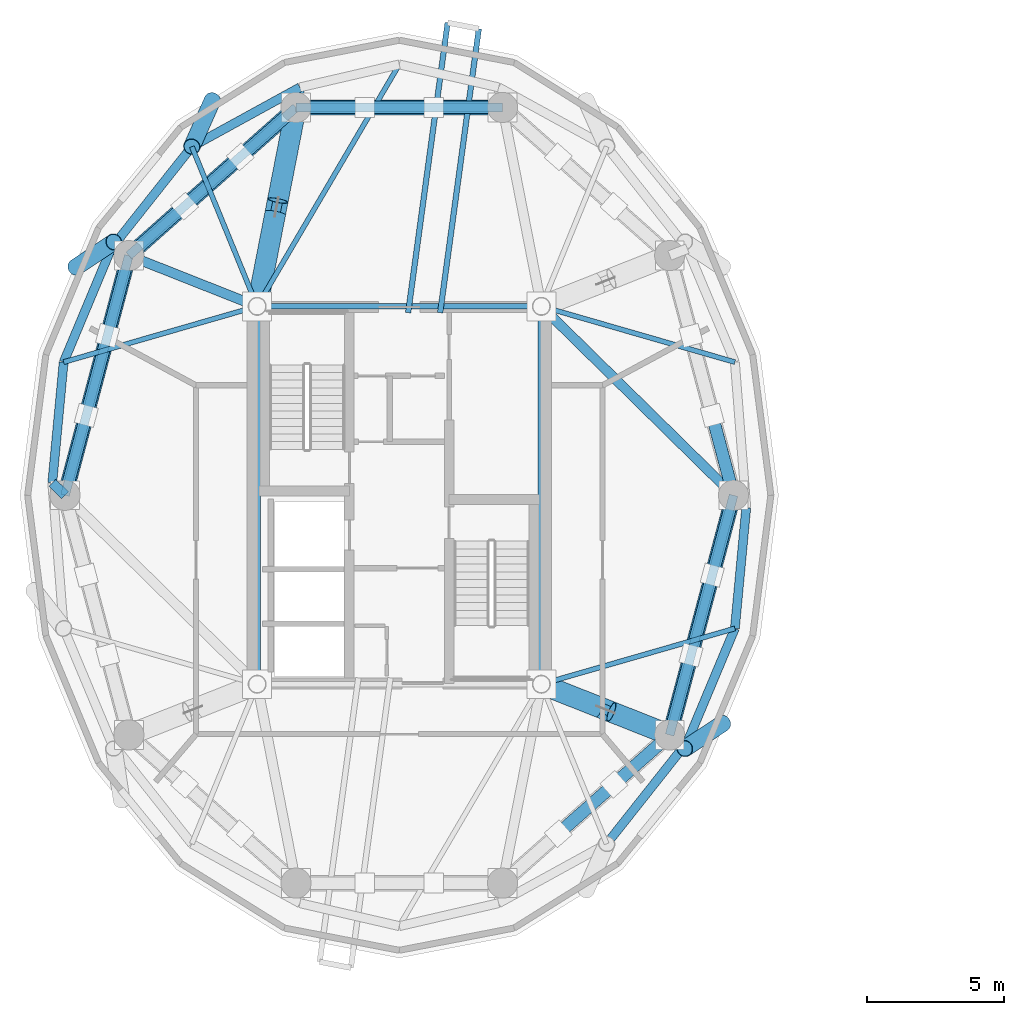
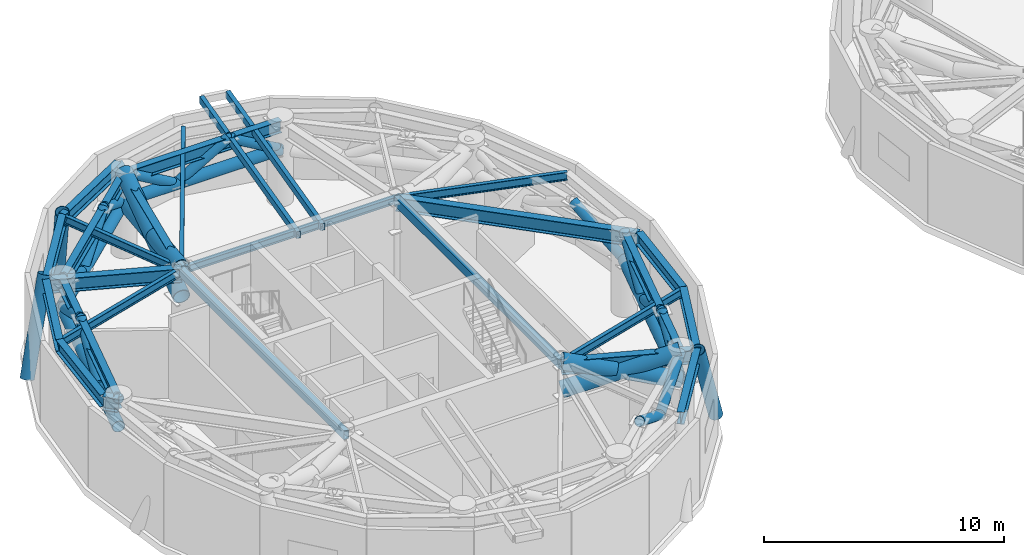
# One storey, part 2 of 14: 28 members, 26 beams.
"""IFC4 building model written with IfcOpenShell, lengths in metres."""

from ifc_helpers import new_model, si_unit, direction, frame, origin, origin_2d, place, context, subcontext, project, spatial, hollow_rectangle, hollow_circle, i_section, extrude, material, material_profile, profile_set, type_object, element, save


model = new_model("IFC4")

# Units and contexts
model_context = context("Model", 3, precision=1e-05, world=origin(), true_north=direction((0.0, 1.0)))
body_context = subcontext(model_context, "Body", "Model", "MODEL_VIEW")
ifc_project = project(units=[si_unit("LENGTHUNIT", "METRE"), si_unit("AREAUNIT", "SQUARE_METRE"), si_unit("VOLUMEUNIT", "CUBIC_METRE"), si_unit("PLANEANGLEUNIT", "RADIAN"), si_unit("MASSUNIT", "GRAM", prefix="KILO")], contexts=[model_context])

# Site, building, storey
site_placement = place(None, origin())
site = spatial("IfcSite", under=ifc_project, at=site_placement, CompositionType="ELEMENT")
building_placement = place(site_placement, origin())
building = spatial("IfcBuilding", under=site, at=building_placement, Name="Cununo Teusaquillo Station Towers", CompositionType="ELEMENT")
storey_placement = place(building_placement, frame((0.0, 0.0, 192.340087890625)))
storey = spatial("IfcBuildingStorey", under=building, at=storey_placement, Name="L61", CompositionType="ELEMENT", Elevation=192.340087890625)

# Beams
ifc_material_1 = material(Name="Steel EN 10025-2 S355J2", Category="steel")
ifc_material_profile_1 = material_profile(ifc_material_1, hollow_rectangle(XDim=0.199951171875, YDim=0.35009765625, WallThickness=0.013916015625, at=origin_2d()), Name="RHS 350x200x14")
ifc_profile_set_1 = profile_set([ifc_material_profile_1], Name="Steel EN 10025-2 S355J2")
beam_type_1 = type_object("IfcBeamType", Name="BM-BAL-CANT", PredefinedType="BEAM", material=ifc_profile_set_1)
beam_1_placement = place(storey_placement, frame((17.9892578125, 31.14990234375, 3.934814453125), z_axis=(0.135018196505, 0.990843119072, 0.0), x_axis=(-0.990843119072, 0.135018196505, 0.0)))
element("IfcBeam", 1, at=beam_1_placement, inside=storey, type_object=beam_type_1, Name="L61 Tower A Balcony Cantilever Bracket 1A", PredefinedType="BEAM", context=body_context, shape_type="SweptSolid", body=[
    extrude(hollow_rectangle(XDim=0.199951171875, YDim=0.35009765625, WallThickness=0.013916015625, at=origin_2d()), origin(), (0.0, 0.0, 1.0), 10.43505859375),
])
beam_2_placement = place(storey_placement, frame((16.822998046875, 31.14990234375, 3.934814453125), z_axis=(0.135006880627, 0.990844660975, 0.0), x_axis=(-0.990844660975, 0.135006880627, 0.0)))
element("IfcBeam", 2, at=beam_2_placement, inside=storey, type_object=beam_type_1, Name="L61 Tower A Balcony Cantilever Bracket 1B", PredefinedType="BEAM", context=body_context, shape_type="SweptSolid", body=[
    extrude(hollow_rectangle(XDim=0.199951171875, YDim=0.35009765625, WallThickness=0.013916015625, at=origin_2d()), origin(), (0.0, 0.0, 1.0), 10.65673828125),
])
ifc_material_2 = material(Name="Steel EN 10025-2 S355J2", Category="steel")
ifc_material_profile_2 = material_profile(ifc_material_2, hollow_rectangle(XDim=0.25, YDim=0.449951171875, WallThickness=0.01611328125, at=origin_2d()), Name="RHS 450x250x16")
ifc_profile_set_2 = profile_set([ifc_material_profile_2], Name="Steel EN 10025-2 S355J2")
beam_type_2 = type_object("IfcBeamType", Name="BM-COUP-1", PredefinedType="USERDEFINED", material=ifc_profile_set_2)
for number, where, z_axis, x_axis, name in (
    (3, (11.324951171875, 17.6201171875, 3.885009765625), (0.0, 1.0, 0.0), (-1.0, 0.0, 0.0), "L61 Tower A Core Beam 1"),
    (4, (21.675048828125, 17.6201171875, 3.885009765625), (0.0, 1.0, 0.0), (-1.0, 0.0, 0.0), "L61 Tower A Core Beam 2"),
):
    element("IfcBeam", number, at=place(storey_placement, frame(where, z_axis=z_axis, x_axis=x_axis)), inside=storey, type_object=beam_type_2, Name=name, ObjectType="COUPLING BEAM", PredefinedType="USERDEFINED", context=body_context, shape_type="SweptSolid", body=[
        extrude(hollow_rectangle(XDim=0.25, YDim=0.449951171875, WallThickness=0.01611328125, at=origin_2d()), origin(), (0.0, 0.0, 1.0), 13.759765625),
    ])
ifc_material_3 = material(Name="Steel ASTM A572 Grade 50", Category="steel")
ifc_material_profile_3 = material_profile(ifc_material_3, i_section(OverallWidth=0.180908203125, OverallDepth=0.4169921875, WebThickness=0.010986328125, FlangeThickness=0.018310546875, FilletRadius=0.012939453125, at=origin_2d()), Name="W16X57")
ifc_profile_set_3 = profile_set([ifc_material_profile_3], Name="Steel ASTM A572 Grade 50")
beam_type_3 = type_object("IfcBeamType", Name="BM-JOIST-1", PredefinedType="JOIST", material=ifc_profile_set_3)
beam_3_placement = place(storey_placement, frame((21.675048828125, 31.3798828125, 3.9013671875), z_axis=(0.960861603375, -0.277028841748, 0.0), x_axis=(0.277028841748, 0.960861603375, 0.0)))
element("IfcBeam", 5, at=beam_3_placement, inside=storey, type_object=beam_type_3, Name="L61 Tower A Radial Spandrel Joist V01", PredefinedType="JOIST", context=body_context, shape_type="SweptSolid", body=[
    extrude(i_section(OverallWidth=0.180908203125, OverallDepth=0.4169921875, WebThickness=0.010986328125, FlangeThickness=0.018310546875, FilletRadius=0.012939453125, at=origin_2d()), origin(), (0.0, 0.0, 1.0), 7.333251953125),
])
beam_4_placement = place(storey_placement, frame((11.324951171875, 31.3798828125, 3.9013671875), z_axis=(0.506486432091, 0.862247930765, 0.0), x_axis=(-0.862247930765, 0.506486432091, 0.0)))
element("IfcBeam", 6, at=beam_4_placement, inside=storey, type_object=beam_type_3, Name="L61 Tower A Radial Spandrel Joist V05", PredefinedType="JOIST", context=body_context, shape_type="SweptSolid", body=[
    extrude(i_section(OverallWidth=0.180908203125, OverallDepth=0.4169921875, WebThickness=0.010986328125, FlangeThickness=0.018310546875, FilletRadius=0.012939453125, at=origin_2d()), origin(), (0.0, 0.0, 1.0), 10.217529296875),
])
beam_5_placement = place(storey_placement, frame((11.324951171875, 31.3798828125, 3.9013671875), z_axis=(-0.378576847217, 0.925569862707, 0.0), x_axis=(-0.925569862707, -0.378576847217, 0.0)))
element("IfcBeam", 7, at=beam_5_placement, inside=storey, type_object=beam_type_3, Name="L61 Tower A Radial Spandrel Joist V07", PredefinedType="JOIST", context=body_context, shape_type="SweptSolid", body=[
    extrude(i_section(OverallWidth=0.180908203125, OverallDepth=0.4169921875, WebThickness=0.010986328125, FlangeThickness=0.018310546875, FilletRadius=0.012939453125, at=origin_2d()), origin(), (0.0, 0.0, 1.0), 6.28125),
])
for number, where, z_axis, x_axis, name in (
    (8, (11.324951171875, 31.3798828125, 3.9013671875), (-0.960861603375, -0.277028841748, 0.0), (0.277028841748, -0.960861603375, 0.0), "L61 Tower A Radial Spandrel Joist V09"),
    (9, (21.675048828125, 17.6201171875, 3.9013671875), (0.960861603375, 0.277028841748, 0.0), (-0.277028841748, 0.960861603375, 0.0), "L61 Tower A Radial Spandrel Joist V19"),
):
    element("IfcBeam", number, at=place(storey_placement, frame(where, z_axis=z_axis, x_axis=x_axis)), inside=storey, type_object=beam_type_3, Name=name, PredefinedType="JOIST", context=body_context, shape_type="SweptSolid", body=[
        extrude(i_section(OverallWidth=0.180908203125, OverallDepth=0.4169921875, WebThickness=0.010986328125, FlangeThickness=0.018310546875, FilletRadius=0.012939453125, at=origin_2d()), origin(), (0.0, 0.0, 1.0), 7.333251953125),
    ])
ifc_material_4 = material(Name="Steel ASTM A572 Grade 50", Category="steel")
ifc_material_profile_4 = material_profile(ifc_material_4, i_section(OverallWidth=0.2041015625, OverallDepth=0.35009765625, WebThickness=0.008544921875, FlangeThickness=0.01513671875, FilletRadius=0.011962890625, at=origin_2d()), Name="W14X48")
ifc_profile_set_4 = profile_set([ifc_material_profile_4], Name="Steel ASTM A572 Grade 50")
beam_type_4 = type_object("IfcBeamType", Name="BM-LINTEL-1", PredefinedType="LINTEL", material=ifc_profile_set_4)
beam_6_placement = place(storey_placement, frame((11.324951171875, 31.3798828125, 3.934814453125), z_axis=(1.0, 0.0, 0.0), x_axis=(0.0, 1.0, 0.0)))
element("IfcBeam", 10, at=beam_6_placement, inside=storey, type_object=beam_type_4, Name="L61 Tower A Core Beam 4", PredefinedType="LINTEL", context=body_context, shape_type="SweptSolid", body=[
    extrude(i_section(OverallWidth=0.2041015625, OverallDepth=0.35009765625, WebThickness=0.008544921875, FlangeThickness=0.01513671875, FilletRadius=0.011962890625, at=origin_2d()), origin(), (0.0, 0.0, 1.0), 10.35009765625),
])
ifc_material_5 = material(Name="Steel ASTM A572 Grade 50", Category="steel")
ifc_material_profile_5 = material_profile(ifc_material_5, i_section(OverallWidth=0.35498046875, OverallDepth=0.696044921875, WebThickness=0.015380859375, FlangeThickness=0.02490234375, FilletRadius=0.01806640625, at=origin_2d()), Name="W27X146")
ifc_profile_set_5 = profile_set([ifc_material_profile_5], Name="Steel ASTM A572 Grade 50")
beam_type_5 = type_object("IfcBeamType", Name="BM-PLNT-G1", PredefinedType="BEAM", material=ifc_profile_set_5)
beam_7_placement = place(storey_placement, frame((21.675048828125, 31.3798828125, 3.761962890625), z_axis=(0.713043510712, -0.701119784225, 0.0), x_axis=(0.701119784225, 0.713043510712, 0.0)))
element("IfcBeam", 11, at=beam_7_placement, inside=storey, type_object=beam_type_5, Name="L61 Tower A Continuous Overhanging Radial Girder 01", PredefinedType="BEAM", context=body_context, shape_type="SweptSolid", body=[
    extrude(i_section(OverallWidth=0.35498046875, OverallDepth=0.696044921875, WebThickness=0.015380859375, FlangeThickness=0.02490234375, FilletRadius=0.01806640625, at=origin_2d()), origin(), (0.0, 0.0, 1.0), 10.462890625),
])
beam_8_placement = place(storey_placement, frame((11.324951171875, 31.3798828125, 3.761962890625), z_axis=(0.191548487699, 0.981483151593, 0.0), x_axis=(-0.981483151593, 0.191548487699, 0.0)))
element("IfcBeam", 12, at=beam_8_placement, inside=storey, type_object=beam_type_5, Name="L61 Tower A Continuous Overhanging Radial Girder 04", PredefinedType="BEAM", context=body_context, shape_type="SweptSolid", body=[
    extrude(i_section(OverallWidth=0.35498046875, OverallDepth=0.696044921875, WebThickness=0.015380859375, FlangeThickness=0.02490234375, FilletRadius=0.01806640625, at=origin_2d()), origin(), (0.0, 0.0, 1.0), 8.1240234375),
])
beam_9_placement = place(storey_placement, frame((11.324951171875, 31.3798828125, 3.761962890625), z_axis=(-0.929851670487, 0.36793460138, 0.0), x_axis=(-0.36793460138, -0.929851670487, 0.0)))
element("IfcBeam", 13, at=beam_9_placement, inside=storey, type_object=beam_type_5, Name="L61 Tower A Continuous Overhanging Radial Girder 05", PredefinedType="BEAM", context=body_context, shape_type="SweptSolid", body=[
    extrude(i_section(OverallWidth=0.35498046875, OverallDepth=0.696044921875, WebThickness=0.015380859375, FlangeThickness=0.02490234375, FilletRadius=0.01806640625, at=origin_2d()), origin(), (0.0, 0.0, 1.0), 5.71630859375),
])
beam_10_placement = place(storey_placement, frame((4.327880859375, 24.5, 3.761962890625), z_axis=(-0.712904743691, 0.701260883283, 0.0), x_axis=(-0.701260883283, -0.712904743691, 0.0)))
element("IfcBeam", 14, at=beam_10_placement, inside=storey, type_object=beam_type_5, Name="L61 Tower A Perimeter Overhang Girder 06B", PredefinedType="BEAM", context=body_context, shape_type="SweptSolid", body=[
    extrude(i_section(OverallWidth=0.35498046875, OverallDepth=0.696044921875, WebThickness=0.015380859375, FlangeThickness=0.02490234375, FilletRadius=0.01806640625, at=origin_2d()), origin(), (0.0, 0.0, 1.0), 0.64990234375),
])
beam_11_placement = place(storey_placement, frame((21.675048828125, 17.6201171875, 3.761962890625), z_axis=(0.929851670487, -0.36793460138, 0.0), x_axis=(0.36793460138, 0.929851670487, 0.0)))
element("IfcBeam", 15, at=beam_11_placement, inside=storey, type_object=beam_type_5, Name="L61 Tower A Continuous Overhanging Radial Girder 10", PredefinedType="BEAM", context=body_context, shape_type="SweptSolid", body=[
    extrude(i_section(OverallWidth=0.35498046875, OverallDepth=0.696044921875, WebThickness=0.015380859375, FlangeThickness=0.02490234375, FilletRadius=0.01806640625, at=origin_2d()), origin(), (0.0, 0.0, 1.0), 5.71630859375),
])
ifc_material_6 = material(Name="Steel ASTM A572 Grade 50", Category="steel")
ifc_material_profile_6 = material_profile(ifc_material_6, i_section(OverallWidth=0.324951171875, OverallDepth=0.615966796875, WebThickness=0.013916015625, FlangeThickness=0.021484375, FilletRadius=0.01611328125, at=origin_2d()), Name="W24X117")
ifc_profile_set_6 = profile_set([ifc_material_profile_6], Name="Steel ASTM A572 Grade 50")
beam_type_6 = type_object("IfcBeamType", Name="BM-PLNT-G2", PredefinedType="BEAM", material=ifc_profile_set_6)
beam_12_placement = place(storey_placement, frame((20.261474609375, 38.623291015625, 3.802001953125), z_axis=(-1.0, 0.0, 0.0), x_axis=(0.0, -1.0, 0.0)))
element("IfcBeam", 16, at=beam_12_placement, inside=storey, type_object=beam_type_6, Name="L61 Tower A Structural Column Ring Girder 03", PredefinedType="BEAM", context=body_context, shape_type="SweptSolid", body=[
    extrude(i_section(OverallWidth=0.324951171875, OverallDepth=0.615966796875, WebThickness=0.013916015625, FlangeThickness=0.021484375, FilletRadius=0.01611328125, at=origin_2d()), origin(), (0.0, 0.0, 1.0), 7.52294921875),
])
beam_13_placement = place(storey_placement, frame((12.738525390625, 38.623291015625, 3.802001953125), z_axis=(-0.74832120039, -0.66333655187, 0.0), x_axis=(0.66333655187, -0.74832120039, 0.0)))
element("IfcBeam", 17, at=beam_13_placement, inside=storey, type_object=beam_type_6, Name="L61 Tower A Structural Column Ring Girder 04", PredefinedType="BEAM", context=body_context, shape_type="SweptSolid", body=[
    extrude(i_section(OverallWidth=0.324951171875, OverallDepth=0.615966796875, WebThickness=0.013916015625, FlangeThickness=0.021484375, FilletRadius=0.01611328125, at=origin_2d()), origin(), (0.0, 0.0, 1.0), 8.1328125),
])
for number, where, z_axis, x_axis, name in (
    (18, (6.652587890625, 33.228515625, 3.802001953125), (-0.257363196347, -0.966314744359, 0.0), (0.966314744359, -0.257363196347, 0.0), "L61 Tower A Structural Column Ring Girder 05"),
    (19, (26.347412109375, 15.771484375, 3.802001953125), (0.257363196347, 0.966314744359, 0.0), (-0.966314744359, 0.257363196347, 0.0), "L61 Tower A Structural Column Ring Girder 10"),
):
    element("IfcBeam", number, at=place(storey_placement, frame(where, z_axis=z_axis, x_axis=x_axis)), inside=storey, type_object=beam_type_6, Name=name, PredefinedType="BEAM", context=body_context, shape_type="SweptSolid", body=[
        extrude(i_section(OverallWidth=0.324951171875, OverallDepth=0.615966796875, WebThickness=0.013916015625, FlangeThickness=0.021484375, FilletRadius=0.01611328125, at=origin_2d()), origin(), (0.0, 0.0, 1.0), 9.03271484375),
    ])
beam_14_placement = place(storey_placement, frame((12.881103515625, 39.353515625, 3.802001953125), z_axis=(-0.876576300909, -0.481262910149, 0.0), x_axis=(0.481262910149, -0.876576300909, 0.0)))
element("IfcBeam", 20, at=beam_14_placement, inside=storey, type_object=beam_type_6, Name="L61 Tower A Spandrel Ring Beam 07", PredefinedType="BEAM", context=body_context, shape_type="SweptSolid", body=[
    extrude(i_section(OverallWidth=0.324951171875, OverallDepth=0.615966796875, WebThickness=0.013916015625, FlangeThickness=0.021484375, FilletRadius=0.01611328125, at=origin_2d()), origin(), (0.0, 0.0, 1.0), 4.488037109375),
])
beam_15_placement = place(storey_placement, frame((8.947021484375, 37.193603515625, 3.802001953125), z_axis=(-0.620710872531, -0.784039547932, 0.0), x_axis=(0.784039547932, -0.620710872531, 0.0)))
element("IfcBeam", 21, at=beam_15_placement, inside=storey, type_object=beam_type_6, Name="L61 Tower A Spandrel Ring Beam 08", PredefinedType="BEAM", context=body_context, shape_type="SweptSolid", body=[
    extrude(i_section(OverallWidth=0.324951171875, OverallDepth=0.615966796875, WebThickness=0.013916015625, FlangeThickness=0.021484375, FilletRadius=0.01611328125, at=origin_2d()), origin(), (0.0, 0.0, 1.0), 4.732421875),
])
beam_16_placement = place(storey_placement, frame((6.009521484375, 33.483154296875, 3.802001953125), z_axis=(-0.386115454066, -0.922450462698, 0.0), x_axis=(0.922450462698, -0.386115454066, 0.0)))
element("IfcBeam", 22, at=beam_16_placement, inside=storey, type_object=beam_type_6, Name="L61 Tower A Spandrel Ring Beam 09", PredefinedType="BEAM", context=body_context, shape_type="SweptSolid", body=[
    extrude(i_section(OverallWidth=0.324951171875, OverallDepth=0.615966796875, WebThickness=0.013916015625, FlangeThickness=0.021484375, FilletRadius=0.01611328125, at=origin_2d()), origin(), (0.0, 0.0, 1.0), 4.482421875),
])
beam_17_placement = place(storey_placement, frame((4.27880859375, 29.348388671875, 3.802001953125), z_axis=(-0.093902932611, -0.995581357422, 0.0), x_axis=(0.995581357422, -0.093902932611, 0.0)))
element("IfcBeam", 23, at=beam_17_placement, inside=storey, type_object=beam_type_6, Name="L61 Tower A Spandrel Ring Beam 10", PredefinedType="BEAM", context=body_context, shape_type="SweptSolid", body=[
    extrude(i_section(OverallWidth=0.324951171875, OverallDepth=0.615966796875, WebThickness=0.013916015625, FlangeThickness=0.021484375, FilletRadius=0.01611328125, at=origin_2d()), origin(), (0.0, 0.0, 1.0), 4.412109375),
])
beam_18_placement = place(storey_placement, frame((24.052978515625, 11.806396484375, 3.802001953125), z_axis=(0.620710872531, 0.784039547932, 0.0), x_axis=(-0.784039547932, 0.620710872531, 0.0)))
element("IfcBeam", 24, at=beam_18_placement, inside=storey, type_object=beam_type_6, Name="L61 Tower A Spandrel Ring Beam 18", PredefinedType="BEAM", context=body_context, shape_type="SweptSolid", body=[
    extrude(i_section(OverallWidth=0.324951171875, OverallDepth=0.615966796875, WebThickness=0.013916015625, FlangeThickness=0.021484375, FilletRadius=0.01611328125, at=origin_2d()), origin(), (0.0, 0.0, 1.0), 4.732421875),
])
beam_19_placement = place(storey_placement, frame((26.990478515625, 15.516845703125, 3.802001953125), z_axis=(0.386115454066, 0.922450462698, 0.0), x_axis=(-0.922450462698, 0.386115454066, 0.0)))
element("IfcBeam", 25, at=beam_19_placement, inside=storey, type_object=beam_type_6, Name="L61 Tower A Spandrel Ring Beam 19", PredefinedType="BEAM", context=body_context, shape_type="SweptSolid", body=[
    extrude(i_section(OverallWidth=0.324951171875, OverallDepth=0.615966796875, WebThickness=0.013916015625, FlangeThickness=0.021484375, FilletRadius=0.01611328125, at=origin_2d()), origin(), (0.0, 0.0, 1.0), 4.482421875),
])
beam_20_placement = place(storey_placement, frame((28.72119140625, 19.651611328125, 3.802001953125), z_axis=(0.093902932611, 0.995581357422, 0.0), x_axis=(-0.995581357422, 0.093902932611, 0.0)))
element("IfcBeam", 26, at=beam_20_placement, inside=storey, type_object=beam_type_6, Name="L61 Tower A Spandrel Ring Beam 20", PredefinedType="BEAM", context=body_context, shape_type="SweptSolid", body=[
    extrude(i_section(OverallWidth=0.324951171875, OverallDepth=0.615966796875, WebThickness=0.013916015625, FlangeThickness=0.021484375, FilletRadius=0.01611328125, at=origin_2d()), origin(), (0.0, 0.0, 1.0), 4.412109375),
])

# Members
ifc_material_7 = material(Name="Steel EN 10025-2 S355J2", Category="steel")
ifc_material_profile_7 = material_profile(ifc_material_7, hollow_circle(Radius=0.279541015625, WallThickness=0.02001953125, at=origin_2d()), Name="CHS 559x20")
ifc_profile_set_7 = profile_set([ifc_material_profile_7], Name="Steel EN 10025-2 S355J2")
member_type_1 = type_object("IfcMemberType", Name="MBR-BELT-CH", PredefinedType="CHORD", material=ifc_profile_set_7)
member_1_placement = place(storey_placement, frame((20.261474609375, 38.623291015625, 2.579833984375), z_axis=(-1.0, 0.0, 0.0), x_axis=(0.0, -1.0, 0.0)))
element("IfcMember", 27, at=member_1_placement, inside=storey, type_object=member_type_1, Name="L61 Tower A Belt Truss Lower Chord 03", PredefinedType="CHORD", context=body_context, shape_type="SweptSolid", body=[
    extrude(hollow_circle(Radius=0.279541015625, WallThickness=0.02001953125, at=origin_2d()), origin(), (0.0, 0.0, 1.0), 7.52294921875),
])
member_2_placement = place(storey_placement, frame((12.738525390625, 38.623291015625, 2.579833984375), z_axis=(-0.74832120039, -0.66333655187, 0.0), x_axis=(0.66333655187, -0.74832120039, 0.0)))
element("IfcMember", 28, at=member_2_placement, inside=storey, type_object=member_type_1, Name="L61 Tower A Belt Truss Lower Chord 04", PredefinedType="CHORD", context=body_context, shape_type="SweptSolid", body=[
    extrude(hollow_circle(Radius=0.279541015625, WallThickness=0.02001953125, at=origin_2d()), origin(), (0.0, 0.0, 1.0), 8.1328125),
])
for number, where, z_axis, x_axis, name in (
    (29, (6.652587890625, 33.228515625, 2.579833984375), (-0.257363196347, -0.966314744359, 0.0), (0.966314744359, -0.257363196347, 0.0), "L61 Tower A Belt Truss Lower Chord 05"),
    (30, (26.347412109375, 15.771484375, 2.579833984375), (0.257363196347, 0.966314744359, 0.0), (-0.966314744359, 0.257363196347, 0.0), "L61 Tower A Belt Truss Lower Chord 10"),
):
    element("IfcMember", number, at=place(storey_placement, frame(where, z_axis=z_axis, x_axis=x_axis)), inside=storey, type_object=member_type_1, Name=name, PredefinedType="CHORD", context=body_context, shape_type="SweptSolid", body=[
        extrude(hollow_circle(Radius=0.279541015625, WallThickness=0.02001953125, at=origin_2d()), origin(), (0.0, 0.0, 1.0), 9.03271484375),
    ])
ifc_material_8 = material(Name="Steel EN 10025-2 S355J2", Category="steel")
ifc_material_profile_8 = material_profile(ifc_material_8, hollow_circle(Radius=0.228515625, WallThickness=0.01611328125, at=origin_2d()), Name="CHS 457x16")
ifc_profile_set_8 = profile_set([ifc_material_profile_8], Name="Steel EN 10025-2 S355J2")
member_type_2 = type_object("IfcMemberType", Name="MBR-BELT-WB", PredefinedType="BRACE", material=ifc_profile_set_8)
member_3_placement = place(storey_placement, frame((28.672119140625, 24.5, 2.579833984375), z_axis=(-0.231874873286, 0.870590064572, 0.433943524675), x_axis=(-0.96631295405, -0.257369918281, 0.0)))
element("IfcMember", 31, at=member_3_placement, inside=storey, type_object=member_type_2, Name="L61 Tower A Belt Truss Warren Brace 01A", PredefinedType="BRACE", context=body_context, shape_type="SweptSolid", body=[
    extrude(hollow_circle(Radius=0.228515625, WallThickness=0.01611328125, at=origin_2d()), origin(), (0.0, 0.0, 1.0), 3.341796875),
])
member_4_placement = place(storey_placement, frame((20.261474609375, 38.623291015625, 2.579833984375), z_axis=(-0.865658928937, 0.0, 0.500634216521), x_axis=(0.0, -1.0, 0.0)))
element("IfcMember", 32, at=member_4_placement, inside=storey, type_object=member_type_2, Name="L61 Tower A Belt Truss Warren Brace 03A", PredefinedType="BRACE", context=body_context, shape_type="SweptSolid", body=[
    extrude(hollow_circle(Radius=0.228515625, WallThickness=0.01611328125, at=origin_2d()), origin(), (0.0, 0.0, 1.0), 2.896728515625),
])
member_5_placement = place(storey_placement, frame((17.75390625, 38.623291015625, 4.030029296875), z_axis=(-0.865680050576, 0.0, -0.500597692798), x_axis=(0.0, -1.0, 0.0)))
element("IfcMember", 33, at=member_5_placement, inside=storey, type_object=member_type_2, Name="L61 Tower A Belt Truss Warren Brace 03B", PredefinedType="BRACE", context=body_context, shape_type="SweptSolid", body=[
    extrude(hollow_circle(Radius=0.228515625, WallThickness=0.01611328125, at=origin_2d()), origin(), (0.0, 0.0, 1.0), 2.89697265625),
])
member_6_placement = place(storey_placement, frame((15.24609375, 38.623291015625, 2.579833984375), z_axis=(-0.865658928937, 0.0, 0.500634216521), x_axis=(0.0, -1.0, 0.0)))
element("IfcMember", 34, at=member_6_placement, inside=storey, type_object=member_type_2, Name="L61 Tower A Belt Truss Warren Brace 03C", PredefinedType="BRACE", context=body_context, shape_type="SweptSolid", body=[
    extrude(hollow_circle(Radius=0.228515625, WallThickness=0.01611328125, at=origin_2d()), origin(), (0.0, 0.0, 1.0), 2.896728515625),
])
member_7_placement = place(storey_placement, frame((12.738525390625, 38.623291015625, 2.579833984375), z_axis=(-0.65981643999, -0.584932951855, 0.471694506384), x_axis=(0.66336826295, -0.748293089445, 0.0)))
element("IfcMember", 35, at=member_7_placement, inside=storey, type_object=member_type_2, Name="L61 Tower A Belt Truss Warren Brace 04A", PredefinedType="BRACE", context=body_context, shape_type="SweptSolid", body=[
    extrude(hollow_circle(Radius=0.228515625, WallThickness=0.01611328125, at=origin_2d()), origin(), (0.0, 0.0, 1.0), 3.074462890625),
])
member_8_placement = place(storey_placement, frame((10.7099609375, 36.824951171875, 4.030029296875), z_axis=(-0.659847088148, -0.584880708173, -0.471716416367), x_axis=(0.663317831046, -0.748337794727, 0.0)))
element("IfcMember", 36, at=member_8_placement, inside=storey, type_object=member_type_2, Name="L61 Tower A Belt Truss Warren Brace 04B", PredefinedType="BRACE", context=body_context, shape_type="SweptSolid", body=[
    extrude(hollow_circle(Radius=0.228515625, WallThickness=0.01611328125, at=origin_2d()), origin(), (0.0, 0.0, 1.0), 3.07421875),
])
member_9_placement = place(storey_placement, frame((8.681396484375, 35.02685546875, 2.579833984375), z_axis=(-0.659861274624, -0.584902304317, 0.471669791969), x_axis=(0.663323560468, -0.748332716195, 0.0)))
element("IfcMember", 37, at=member_9_placement, inside=storey, type_object=member_type_2, Name="L61 Tower A Belt Truss Warren Brace 04C", PredefinedType="BRACE", context=body_context, shape_type="SweptSolid", body=[
    extrude(hollow_circle(Radius=0.228515625, WallThickness=0.01611328125, at=origin_2d()), origin(), (0.0, 0.0, 1.0), 3.07470703125),
])
member_10_placement = place(storey_placement, frame((6.652587890625, 33.228515625, 2.579833984375), z_axis=(-0.231874873286, -0.870590064572, 0.433943524675), x_axis=(0.96631295405, -0.257369918281, 0.0)))
element("IfcMember", 38, at=member_10_placement, inside=storey, type_object=member_type_2, Name="L61 Tower A Belt Truss Warren Brace 05A", PredefinedType="BRACE", context=body_context, shape_type="SweptSolid", body=[
    extrude(hollow_circle(Radius=0.228515625, WallThickness=0.01611328125, at=origin_2d()), origin(), (0.0, 0.0, 1.0), 3.341796875),
])
member_11_placement = place(storey_placement, frame((5.877685546875, 30.319091796875, 4.030029296875), z_axis=(-0.231860126718, -0.870607747394, -0.433915927129), x_axis=(0.966318324558, -0.257349753494, 0.0)))
element("IfcMember", 39, at=member_11_placement, inside=storey, type_object=member_type_2, Name="L61 Tower A Belt Truss Warren Brace 05B", PredefinedType="BRACE", context=body_context, shape_type="SweptSolid", body=[
    extrude(hollow_circle(Radius=0.228515625, WallThickness=0.01611328125, at=origin_2d()), origin(), (0.0, 0.0, 1.0), 3.342041015625),
])
member_12_placement = place(storey_placement, frame((5.102783203125, 27.409423828125, 2.579833984375), z_axis=(-0.231874873286, -0.870590064572, 0.433943524675), x_axis=(0.96631295405, -0.257369918281, 0.0)))
element("IfcMember", 40, at=member_12_placement, inside=storey, type_object=member_type_2, Name="L61 Tower A Belt Truss Warren Brace 05C", PredefinedType="BRACE", context=body_context, shape_type="SweptSolid", body=[
    extrude(hollow_circle(Radius=0.228515625, WallThickness=0.01611328125, at=origin_2d()), origin(), (0.0, 0.0, 1.0), 3.341796875),
])
member_13_placement = place(storey_placement, frame((22.2900390625, 12.175048828125, 4.030029296875), z_axis=(0.659847088148, 0.584880708173, -0.471716416367), x_axis=(-0.663317831046, 0.748337794727, 0.0)))
element("IfcMember", 41, at=member_13_placement, inside=storey, type_object=member_type_2, Name="L61 Tower A Belt Truss Warren Brace 09B", PredefinedType="BRACE", context=body_context, shape_type="SweptSolid", body=[
    extrude(hollow_circle(Radius=0.228515625, WallThickness=0.01611328125, at=origin_2d()), origin(), (0.0, 0.0, 1.0), 3.07421875),
])
member_14_placement = place(storey_placement, frame((24.318603515625, 13.97314453125, 2.579833984375), z_axis=(0.659861274624, 0.584902304317, 0.471669791969), x_axis=(-0.663323560468, 0.748332716195, 0.0)))
element("IfcMember", 42, at=member_14_placement, inside=storey, type_object=member_type_2, Name="L61 Tower A Belt Truss Warren Brace 09C", PredefinedType="BRACE", context=body_context, shape_type="SweptSolid", body=[
    extrude(hollow_circle(Radius=0.228515625, WallThickness=0.01611328125, at=origin_2d()), origin(), (0.0, 0.0, 1.0), 3.07470703125),
])
member_15_placement = place(storey_placement, frame((26.347412109375, 15.771484375, 2.579833984375), z_axis=(0.231874873286, 0.870590064572, 0.433943524675), x_axis=(-0.96631295405, 0.257369918281, 0.0)))
element("IfcMember", 43, at=member_15_placement, inside=storey, type_object=member_type_2, Name="L61 Tower A Belt Truss Warren Brace 10A", PredefinedType="BRACE", context=body_context, shape_type="SweptSolid", body=[
    extrude(hollow_circle(Radius=0.228515625, WallThickness=0.01611328125, at=origin_2d()), origin(), (0.0, 0.0, 1.0), 3.341796875),
])
member_16_placement = place(storey_placement, frame((27.122314453125, 18.680908203125, 4.030029296875), z_axis=(0.231860126718, 0.870607747394, -0.433915927129), x_axis=(-0.966318324558, 0.257349753494, 0.0)))
element("IfcMember", 44, at=member_16_placement, inside=storey, type_object=member_type_2, Name="L61 Tower A Belt Truss Warren Brace 10B", PredefinedType="BRACE", context=body_context, shape_type="SweptSolid", body=[
    extrude(hollow_circle(Radius=0.228515625, WallThickness=0.01611328125, at=origin_2d()), origin(), (0.0, 0.0, 1.0), 3.342041015625),
])
member_17_placement = place(storey_placement, frame((27.897216796875, 21.590576171875, 2.579833984375), z_axis=(0.231874873286, 0.870590064572, 0.433943524675), x_axis=(-0.96631295405, 0.257369918281, 0.0)))
element("IfcMember", 45, at=member_17_placement, inside=storey, type_object=member_type_2, Name="L61 Tower A Belt Truss Warren Brace 10C", PredefinedType="BRACE", context=body_context, shape_type="SweptSolid", body=[
    extrude(hollow_circle(Radius=0.228515625, WallThickness=0.01611328125, at=origin_2d()), origin(), (0.0, 0.0, 1.0), 3.341796875),
])
ifc_material_9 = material(Name="Steel EN 10025-2 S355J2", Category="steel")
ifc_material_profile_9 = material_profile(ifc_material_9, hollow_circle(Radius=0.304931640625, WallThickness=0.02001953125, at=origin_2d()), Name="CHS 610x20")
ifc_profile_set_9 = profile_set([ifc_material_profile_9], Name="Steel EN 10025-2 S355J2")
member_type_3 = type_object("IfcMemberType", Name="MBR-DIAG-Z3", PredefinedType="BRACE", material=ifc_profile_set_9)
member_18_placement = place(storey_placement, frame((9.6953125, 38.87841796875, -0.14013671875), z_axis=(-0.159313551279, -0.358702387398, 0.919756375164), x_axis=(0.913915280185, -0.405904989678, 0.0)))
element("IfcMember", 46, at=member_18_placement, inside=storey, type_object=member_type_3, Name="L61 Tower A Folded-Zigzag Diagrid Tube C06", PredefinedType="BRACE", context=body_context, shape_type="SweptSolid", body=[
    extrude(hollow_circle(Radius=0.304931640625, WallThickness=0.02001953125, at=origin_2d()), origin(), (0.0, 0.0, 1.0), 4.697021484375),
])
for number, where, z_axis, x_axis, name in (
    (47, (4.72412109375, 32.80859375, -0.14013671875), (0.298272829575, 0.197529228786, 0.933817713964), (-0.552144459941, 0.833748460482, 0.0), "L61 Tower A Folded-Zigzag Diagrid Tube C08"),
    (48, (28.27587890625, 16.19140625, -0.14013671875), (-0.298272829575, -0.197529228786, 0.933817713964), (0.552144459941, -0.833748460482, 0.0), "L61 Tower A Folded-Zigzag Diagrid Tube C18"),
):
    element("IfcMember", number, at=place(storey_placement, frame(where, z_axis=z_axis, x_axis=x_axis)), inside=storey, type_object=member_type_3, Name=name, PredefinedType="BRACE", context=body_context, shape_type="SweptSolid", body=[
        extrude(hollow_circle(Radius=0.304931640625, WallThickness=0.02001953125, at=origin_2d()), origin(), (0.0, 0.0, 1.0), 4.626220703125),
    ])
ifc_material_10 = material(Name="Steel EN 10025-2 S355J2", Category="steel")
ifc_material_profile_10 = material_profile(ifc_material_10, hollow_circle(Radius=0.3798828125, WallThickness=0.031982421875, at=origin_2d()), Name="CHS 760x32")
ifc_profile_set_10 = profile_set([ifc_material_profile_10], Name="Steel EN 10025-2 S355J2")
member_type_4 = type_object("IfcMemberType", Name="MBR-OUTR-1", PredefinedType="STRUT", material=ifc_profile_set_10)
member_19_placement = place(storey_placement, frame((11.324951171875, 31.3798828125, 2.579833984375), z_axis=(0.187945683409, 0.963067440597, 0.192814742564), x_axis=(-0.981484828446, 0.191539895403, 0.0)))
element("IfcMember", 49, at=member_19_placement, inside=storey, type_object=member_type_4, Name="L61 Tower A Outrigger Continuous Diagonal 1A", PredefinedType="STRUT", context=body_context, shape_type="SweptSolid", body=[
    extrude(hollow_circle(Radius=0.3798828125, WallThickness=0.031982421875, at=origin_2d()), origin(), (0.0, 0.0, 1.0), 7.521240234375),
])
member_20_placement = place(storey_placement, frame((11.324951171875, 31.3798828125, 4.030029296875), z_axis=(0.187994607849, 0.963064962674, -0.192779420812), x_axis=(-0.9814753613, 0.191588400381, 0.0)))
element("IfcMember", 50, at=member_20_placement, inside=storey, type_object=member_type_4, Name="L61 Tower A Outrigger Split Upper Strut 1B1", PredefinedType="STRUT", context=body_context, shape_type="SweptSolid", body=[
    extrude(hollow_circle(Radius=0.3798828125, WallThickness=0.031982421875, at=origin_2d()), origin(), (0.0, 0.0, 1.0), 3.520751953125),
])
member_21_placement = place(storey_placement, frame((12.076904296875, 35.232666015625, 3.258544921875), z_axis=(0.187927712219, 0.963077515608, -0.192781933568), x_axis=(-0.981488647997, 0.191520322298, 0.0)))
element("IfcMember", 51, at=member_21_placement, inside=storey, type_object=member_type_4, Name="L61 Tower A Outrigger Split Lower Strut 1B2", PredefinedType="STRUT", context=body_context, shape_type="SweptSolid", body=[
    extrude(hollow_circle(Radius=0.3798828125, WallThickness=0.031982421875, at=origin_2d()), origin(), (0.0, 0.0, 1.0), 3.5205078125),
])
member_22_placement = place(storey_placement, frame((21.675048828125, 17.6201171875, 2.579833984375), z_axis=(0.893400354352, -0.353476198305, 0.277291153979), x_axis=(0.367903176814, 0.929864104313, 0.0)))
element("IfcMember", 52, at=member_22_placement, inside=storey, type_object=member_type_4, Name="L61 Tower A Outrigger Continuous Diagonal 4A", PredefinedType="STRUT", context=body_context, shape_type="SweptSolid", body=[
    extrude(hollow_circle(Radius=0.3798828125, WallThickness=0.031982421875, at=origin_2d()), origin(), (0.0, 0.0, 1.0), 5.22998046875),
])
for number, where, z_axis, x_axis, name in (
    (53, (21.675048828125, 17.6201171875, 4.030029296875), (0.893374901086, -0.353505498197, -0.277335805216), (0.36793860805, 0.929850085071, 0.0), "L61 Tower A Outrigger Split Upper Strut 4B1"),
    (54, (24.2255859375, 16.61083984375, 3.238525390625), (0.893407361528, -0.353415545844, -0.277345882108), (0.367846096768, 0.929886686157, 0.0), "L61 Tower A Outrigger Split Lower Strut 4B2"),
):
    element("IfcMember", number, at=place(storey_placement, frame(where, z_axis=z_axis, x_axis=x_axis)), inside=storey, type_object=member_type_4, Name=name, PredefinedType="STRUT", context=body_context, shape_type="SweptSolid", body=[
        extrude(hollow_circle(Radius=0.3798828125, WallThickness=0.031982421875, at=origin_2d()), origin(), (0.0, 0.0, 1.0), 2.375),
    ])

save(model, "model.ifc")
